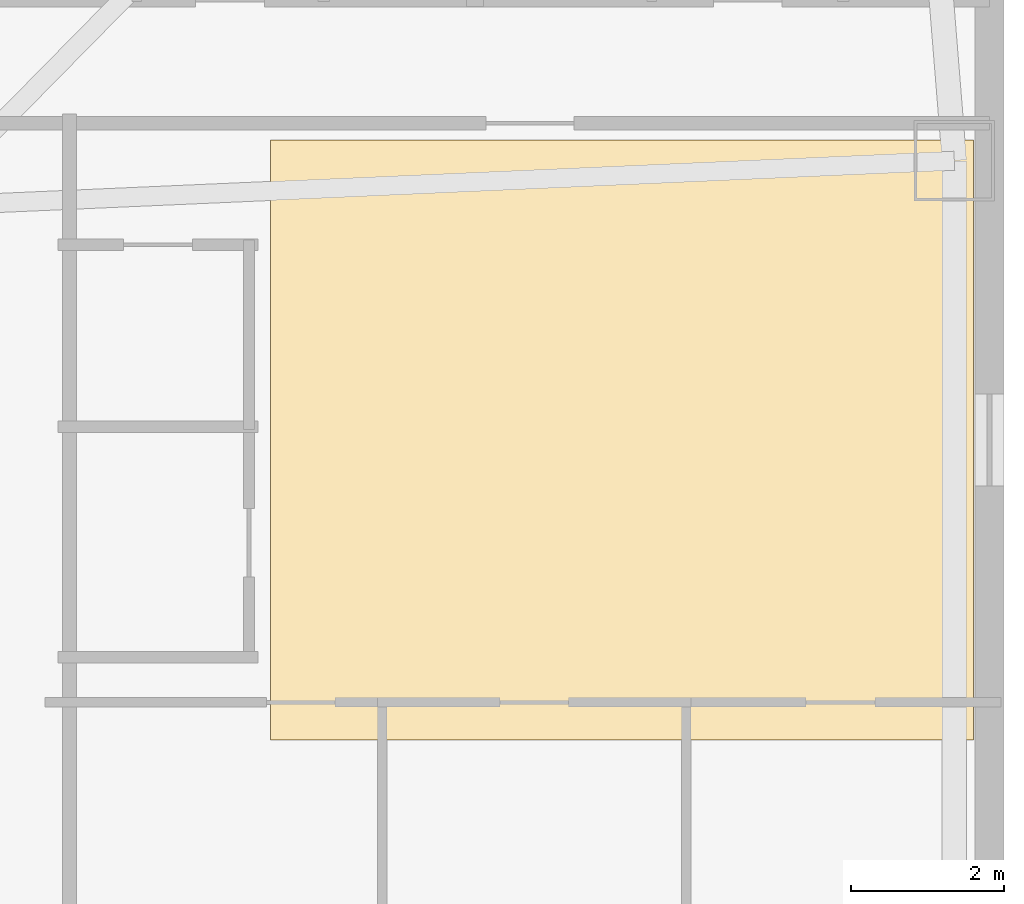
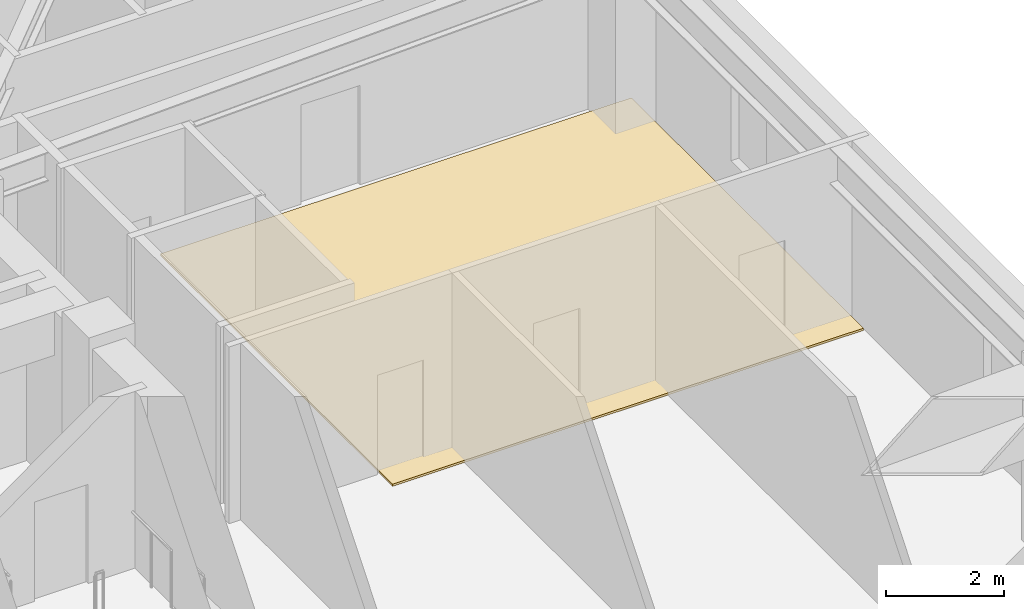
# One storey, part 13 of 13: 1 covering.
"""IFC4 building model written with IfcOpenShell, lengths in metres."""

from ifc_helpers import new_model, si_unit, direction, frame, origin, place, context, subcontext, project, spatial, polyline, outline, extrude, material, layer, layer_set, type_object, element, save


model = new_model("IFC4")

# Units and contexts
model_context = context("Model", 3, precision=1e-05, world=origin(), true_north=direction((0.0, 1.0)))
body_context = subcontext(model_context, "Body", "Model", "MODEL_VIEW")
ifc_project = project(units=[si_unit("LENGTHUNIT", "METRE"), si_unit("AREAUNIT", "SQUARE_METRE"), si_unit("VOLUMEUNIT", "CUBIC_METRE"), si_unit("PLANEANGLEUNIT", "RADIAN"), si_unit("MASSUNIT", "GRAM", prefix="KILO")], contexts=[model_context])

# Site, building, storey
site_placement = place(None, origin())
site = spatial("IfcSite", under=ifc_project, at=site_placement, CompositionType="ELEMENT")
building_placement = place(site_placement, origin())
building = spatial("IfcBuilding", under=site, at=building_placement, Name="Voryun Gate Residences", CompositionType="ELEMENT")
storey_placement = place(building_placement, frame((0.0, 0.0, 124.800048828125)))
storey = spatial("IfcBuildingStorey", under=building, at=storey_placement, Name="L30", CompositionType="ELEMENT", Elevation=124.800048828125)

# Covering
ifc_material = material(Name="Architectural oak flooring")
ifc_layer = layer(ifc_material, 0.044921875, Name="COV_FLOOR_ONDOL_OAK")
ifc_layer_set = layer_set([ifc_layer], Name="Architectural oak flooring")
covering_type = type_object("IfcCoveringType", Name="COV_FLOOR_ONDOL_OAK", PredefinedType="FLOORING", material=ifc_layer_set)
covering_placement = place(storey_placement, origin())
element("IfcCovering", 1, at=covering_placement, inside=storey, type_object=covering_type, Name="Ondol oak floor FLR-L30-01", PredefinedType="FLOORING", context=body_context, shape_type="SweptSolid", body=[
    extrude(outline(polyline([(23.800048828125, 0.419921875), (23.800048828125, 8.27001953125), (32.99755859375, 8.27001953125), (32.99755859375, 0.419921875), (23.800048828125, 0.419921875)])), origin(), (0.0, 0.0, 1.0), 0.044921875),
])

save(model, "model.ifc")
